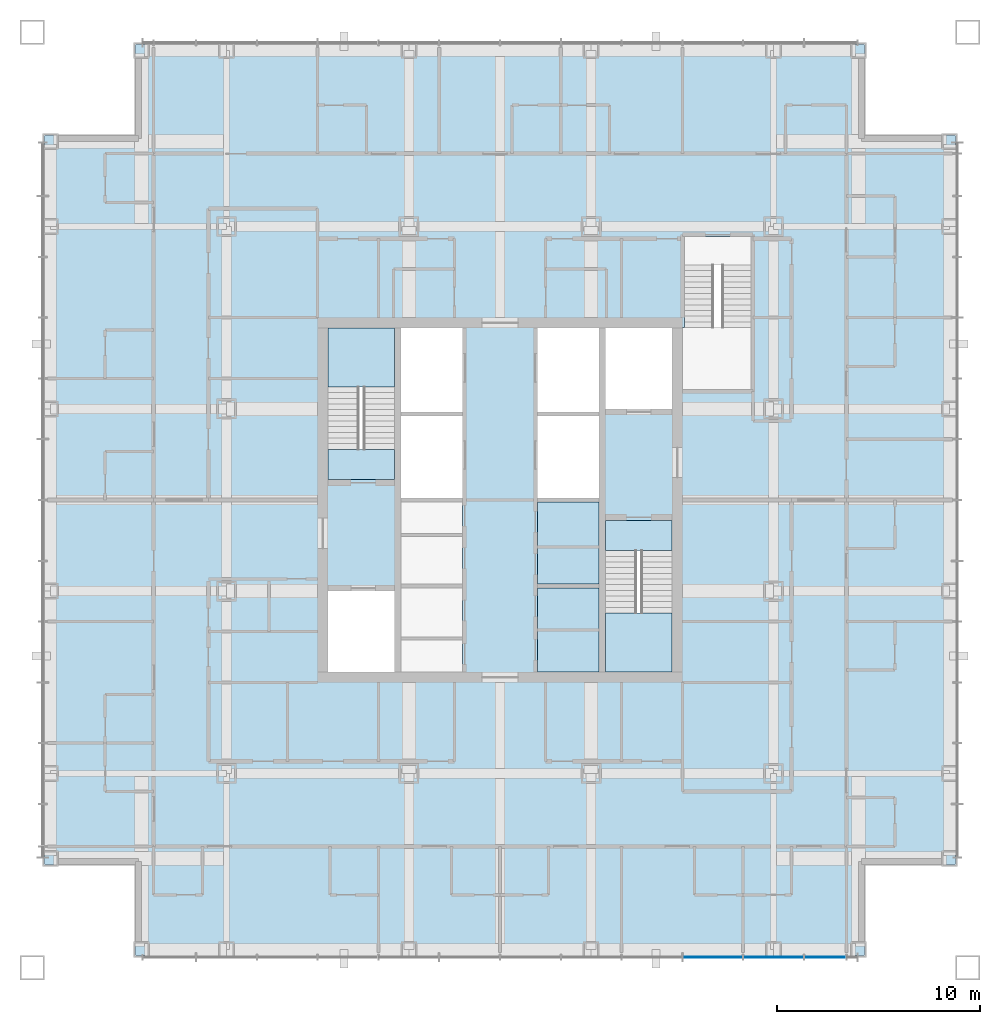
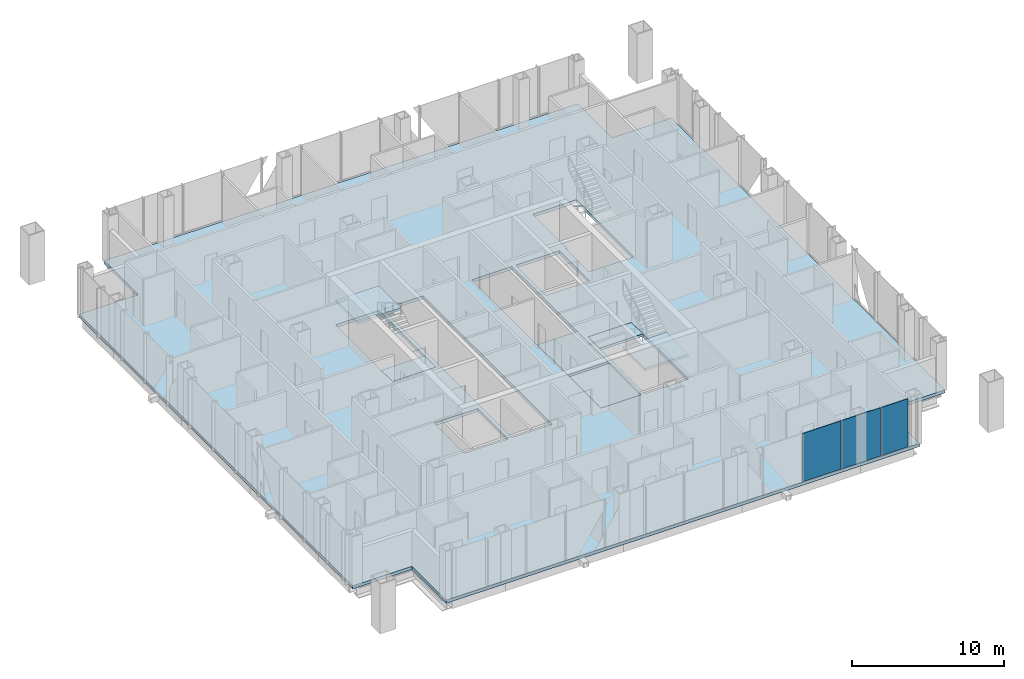
# One storey, part 8 of 20: 7 slabs, 3 plates, 3 elements without a shape of their own.
"""IFC4 building model written with IfcOpenShell, lengths in metres."""

from ifc_helpers import new_model, si_unit, direction, frame, origin, origin_2d, place, context, subcontext, project, spatial, polyline, rectangle, outline, extrude, material, layer, layer_set, type_object, element, aggregate, save


model = new_model("IFC4")

# Units and contexts
model_context = context("Model", 3, precision=1e-05, world=origin(), true_north=direction((0.0, 1.0)))
body_context = subcontext(model_context, "Body", "Model", "MODEL_VIEW")
ifc_project = project(units=[si_unit("LENGTHUNIT", "METRE"), si_unit("AREAUNIT", "SQUARE_METRE"), si_unit("VOLUMEUNIT", "CUBIC_METRE"), si_unit("PLANEANGLEUNIT", "RADIAN"), si_unit("MASSUNIT", "GRAM", prefix="KILO")], contexts=[model_context])

# Site, building, storey
site_placement = place(None, origin())
site = spatial("IfcSite", under=ifc_project, at=site_placement, CompositionType="ELEMENT")
building_placement = place(site_placement, origin())
building = spatial("IfcBuilding", under=site, at=building_placement, Name="Malebo Sky Hospital", CompositionType="ELEMENT")
storey_placement = place(building_placement, frame((0.0, 0.0, 233.0)))
storey = spatial("IfcBuildingStorey", under=building, at=storey_placement, Name="L56", CompositionType="ELEMENT", Elevation=233.0)

# Slabs
ifc_material_1 = material(Name="Concrete C40/50", Category="concrete")
ifc_layer_1 = layer(ifc_material_1, 0.25)
ifc_layer_set_1 = layer_set([ifc_layer_1], Name="COMPOSITE FLOOR SLAB 250")
slab_type_1 = type_object("IfcSlabType", Name="COMPOSITE FLOOR SLAB 250", PredefinedType="FLOOR", material=ifc_layer_set_1)
slab_1_placement = place(storey_placement, frame((0.0, 0.0, -0.25)))
element("IfcSlab", 1, at=slab_1_placement, inside=storey, type_object=slab_type_1, Name="Floor slab L56", PredefinedType="FLOOR", context=body_context, shape_type="SweptSolid", body=[
    extrude(outline(polyline([(42.0, 84.5), (42.0, 80.0), (37.5, 80.0), (37.5, 44.0), (42.0, 44.0), (42.0, 39.5), (78.0, 39.5), (78.0, 44.0), (82.5, 44.0), (82.5, 80.0), (78.0, 80.0), (78.0, 84.5), (42.0, 84.5)]), holes=[polyline([(55.10009765625, 70.5), (58.14990234375, 70.5), (58.14990234375, 53.5), (55.10009765625, 53.5), (55.10009765625, 70.5)]), polyline([(64.89990234375, 70.5), (64.89990234375, 53.5), (61.85009765625, 53.5), (61.85009765625, 70.5), (64.89990234375, 70.5)]), polyline([(54.800048828125, 63.0), (51.5, 63.0), (51.5, 70.5), (54.800048828125, 70.5), (54.800048828125, 63.0)]), polyline([(51.5, 53.5), (51.5, 57.5), (54.800048828125, 57.5), (54.800048828125, 53.5), (51.5, 53.5)]), polyline([(65.199951171875, 61.0), (68.5, 61.0), (68.5, 53.5), (65.199951171875, 53.5), (65.199951171875, 61.0)]), polyline([(68.5, 70.5), (68.5, 66.5), (65.199951171875, 66.5), (65.199951171875, 70.5), (68.5, 70.5)]), polyline([(69.0, 67.449951171875), (69.0, 70.52001953125), (69.10009765625, 70.52001953125), (69.10009765625, 75.0), (72.39990234375, 75.0), (72.39990234375, 67.449951171875), (69.10009765625, 67.449951171875), (69.0, 67.449951171875)])]), origin(), (0.0, 0.0, 1.0), 0.25),
])
ifc_layer_2 = layer(ifc_material_1, 0.25)
ifc_layer_set_2 = layer_set([ifc_layer_2], Name="SHAFT INFILL SLAB 250")
slab_type_2 = type_object("IfcSlabType", Name="SHAFT INFILL SLAB 250", PredefinedType="FLOOR", material=ifc_layer_set_2)
slab_2_placement = place(storey_placement, frame((0.0, 0.0, -0.25)))
element("IfcSlab", 2, at=slab_2_placement, inside=storey, type_object=slab_type_2, Name="Shaft infill slab E1 L56", PredefinedType="FLOOR", context=body_context, shape_type="SweptSolid", body=[
    extrude(outline(polyline([(61.85009765625, 53.5), (64.89990234375, 53.5), (64.89990234375, 57.64990234375), (61.85009765625, 57.64990234375), (61.85009765625, 53.5)])), origin(), (0.0, 0.0, 1.0), 0.25),
])
slab_3_placement = place(storey_placement, frame((0.0, 0.0, -0.25)))
element("IfcSlab", 3, at=slab_3_placement, inside=storey, type_object=slab_type_2, Name="Shaft infill slab E2 L56", PredefinedType="FLOOR", context=body_context, shape_type="SweptSolid", body=[
    extrude(outline(polyline([(61.85009765625, 57.85009765625), (64.89990234375, 57.85009765625), (64.89990234375, 61.89990234375), (61.85009765625, 61.89990234375), (61.85009765625, 57.85009765625)])), origin(), (0.0, 0.0, 1.0), 0.25),
])

# Stair, slabs
stair_type = type_object("IfcStairType", Name="HALF-TURN STAIR 1500 R167", PredefinedType="HALF_TURN_STAIR", material=ifc_material_1)
stair_1_placement = place(storey_placement, origin())
stair_1 = element("IfcStair", 4, at=stair_1_placement, inside=storey, type_object=stair_type, Name="Stair S1 L56 type ST1", PredefinedType="HALF_TURN_STAIR")
ifc_layer_3 = layer(ifc_material_1, 0.199951171875)
ifc_layer_set_3 = layer_set([ifc_layer_3], Name="STAIR LANDING 200")
slab_type_3 = type_object("IfcSlabType", Name="STAIR LANDING 200", PredefinedType="LANDING", material=ifc_layer_set_3)
slab_4_placement = place(storey_placement, frame((0.0, 0.0, -0.199951171875)))
slab_4 = element("IfcSlab", 5, at=slab_4_placement, type_object=slab_type_3, Name="S1 landing 1", PredefinedType="LANDING", context=body_context, shape_type="SweptSolid", body=[
    extrude(outline(polyline([(51.5, 63.0), (54.800048828125, 63.0), (54.800048828125, 64.5), (51.5, 64.5), (51.5, 63.0)])), origin(), (0.0, 0.0, 1.0), 0.199951171875),
])
slab_5_placement = place(storey_placement, frame((0.0, 0.0, 1.800048828125)))
slab_5 = element("IfcSlab", 6, at=slab_5_placement, type_object=slab_type_3, Name="S1 landing 2", PredefinedType="LANDING", context=body_context, shape_type="SweptSolid", body=[
    extrude(outline(polyline([(51.5, 67.580078125), (54.800048828125, 67.580078125), (54.800048828125, 70.5), (51.5, 70.5), (51.5, 67.580078125)])), origin(), (0.0, 0.0, 1.0), 0.199951171875),
])
aggregate(stair_1, [slab_4, slab_5])

stair_2_placement = place(storey_placement, origin())
stair_2 = element("IfcStair", 7, at=stair_2_placement, inside=storey, type_object=stair_type, Name="Stair S2 L56 type ST1", PredefinedType="HALF_TURN_STAIR")
slab_6_placement = place(storey_placement, frame((0.0, 0.0, -0.199951171875)))
slab_6 = element("IfcSlab", 8, at=slab_6_placement, type_object=slab_type_3, Name="S2 landing 1", PredefinedType="LANDING", context=body_context, shape_type="SweptSolid", body=[
    extrude(outline(polyline([(65.199951171875, 59.5), (68.5, 59.5), (68.5, 61.0), (65.199951171875, 61.0), (65.199951171875, 59.5)])), origin(), (0.0, 0.0, 1.0), 0.199951171875),
])
slab_7_placement = place(storey_placement, frame((0.0, 0.0, 1.800048828125)))
slab_7 = element("IfcSlab", 9, at=slab_7_placement, type_object=slab_type_3, Name="S2 landing 2", PredefinedType="LANDING", context=body_context, shape_type="SweptSolid", body=[
    extrude(outline(polyline([(65.199951171875, 53.5), (68.5, 53.5), (68.5, 56.419921875), (65.199951171875, 56.419921875), (65.199951171875, 53.5)])), origin(), (0.0, 0.0, 1.0), 0.199951171875),
])
aggregate(stair_2, [slab_6, slab_7])

# Curtain wall, plates
ifc_material_2 = material(Name="Anodised aluminium, natural silver", Category="aluminium")
ifc_layer_4 = layer(ifc_material_2, 0.25)
ifc_layer_set_4 = layer_set([ifc_layer_4], Name="WARD CURTAIN WALL NORTH AND SOUTH")
curtain_wall_type = type_object("IfcCurtainWallType", Name="WARD CURTAIN WALL NORTH AND SOUTH", PredefinedType="NOTDEFINED", material=ifc_layer_set_4)
curtain_wall_placement = place(storey_placement, origin())
curtain_wall = element("IfcCurtainWall", 10, at=curtain_wall_placement, inside=storey, type_object=curtain_wall_type, Name="NS curtain wall S", PredefinedType="NOTDEFINED")
ifc_material_3 = material(Name="Clear low-iron double glazing", Category="glass")
ifc_layer_5 = layer(ifc_material_3, 0.031982421875)
ifc_layer_set_5 = layer_set([ifc_layer_5], Name="VISION PANEL CLEAR 32")
plate_type = type_object("IfcPlateType", Name="VISION PANEL CLEAR 32", PredefinedType="CURTAIN_PANEL", material=ifc_layer_set_5)
plate_1_placement = place(storey_placement, frame((76.050048828125, 39.425048828125, 0.10009765625), z_axis=(0.0, 0.0, 1.0), x_axis=(-1.0, 0.0, 0.0)))
plate_1 = element("IfcPlate", 11, at=plate_1_placement, type_object=plate_type, Name="Panel 2", PredefinedType="CURTAIN_PANEL", context=body_context, shape_type="SweptSolid", body=[
    extrude(rectangle(XDim=2.02490234375, YDim=0.031982421875, at=origin_2d()), origin(), (0.0, 0.0, 1.0), 3.889892578125),
])
plate_2_placement = place(storey_placement, frame((73.5, 39.425048828125, 0.10009765625), z_axis=(0.0, 0.0, 1.0), x_axis=(-1.0, 0.0, 0.0)))
plate_2 = element("IfcPlate", 12, at=plate_2_placement, type_object=plate_type, Name="Panel 3", PredefinedType="CURTAIN_PANEL", context=body_context, shape_type="SweptSolid", body=[
    extrude(rectangle(XDim=2.925048828125, YDim=0.031982421875, at=origin_2d()), origin(), (0.0, 0.0, 1.0), 3.889892578125),
])
plate_3_placement = place(storey_placement, frame((70.5, 39.425048828125, 0.10009765625), z_axis=(0.0, 0.0, 1.0), x_axis=(-1.0, 0.0, 0.0)))
plate_3 = element("IfcPlate", 13, at=plate_3_placement, type_object=plate_type, Name="Panel 4", PredefinedType="CURTAIN_PANEL", context=body_context, shape_type="SweptSolid", body=[
    extrude(rectangle(XDim=2.925048828125, YDim=0.031982421875, at=origin_2d()), origin(), (0.0, 0.0, 1.0), 3.889892578125),
])
aggregate(curtain_wall, [plate_1, plate_2, plate_3])

save(model, "model.ifc")
